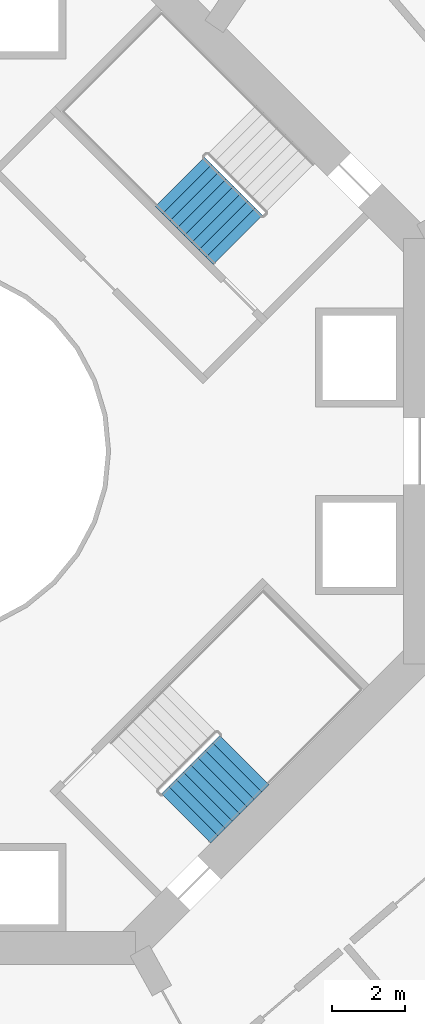
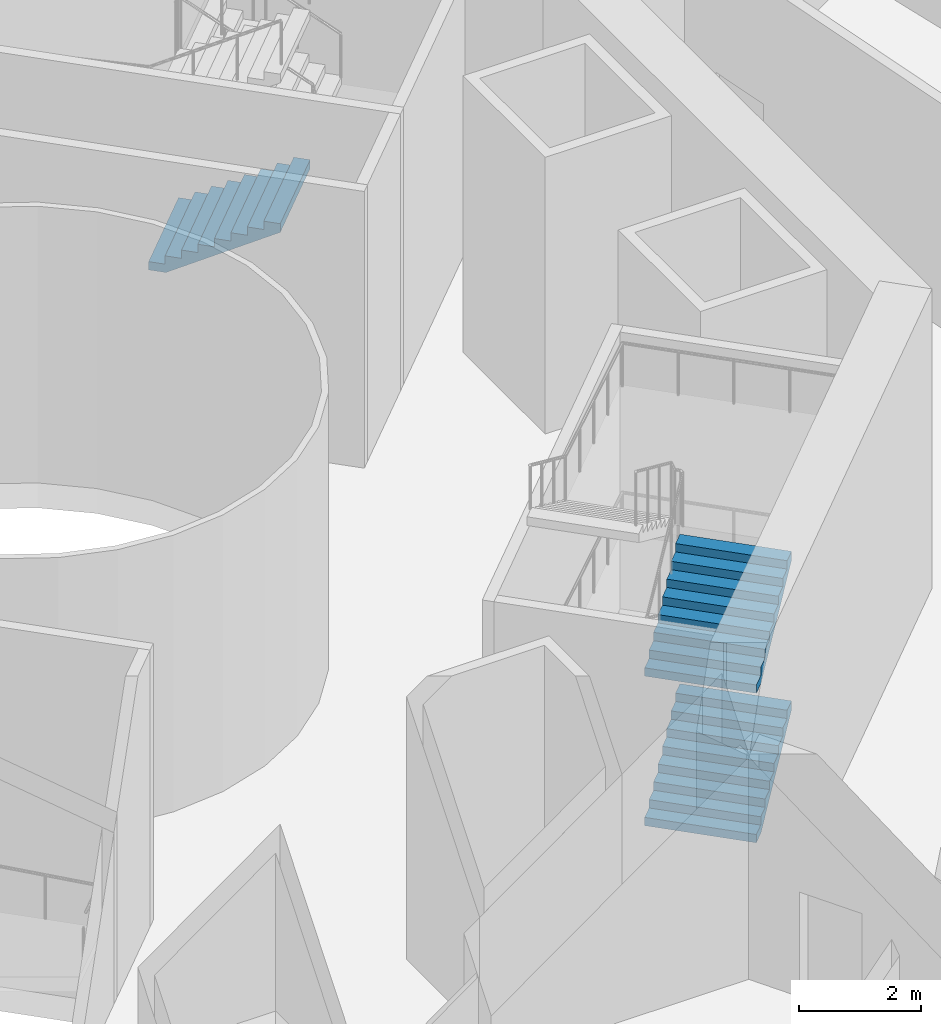
# One storey, part 16 of 20: 3 stair flights, 2 elements without a shape of their own.
"""IFC4 building model written with IfcOpenShell, lengths in metres."""

from ifc_helpers import new_model, si_unit, direction, frame, origin, place, context, subcontext, project, spatial, triangles, material, type_object, element, aggregate, save


model = new_model("IFC4")

# Units and contexts
model_context = context("Model", 3, precision=1e-05, world=origin(), true_north=direction((0.0, 1.0)))
body_context = subcontext(model_context, "Body", "Model", "MODEL_VIEW")
ifc_project = project(units=[si_unit("LENGTHUNIT", "METRE"), si_unit("AREAUNIT", "SQUARE_METRE"), si_unit("VOLUMEUNIT", "CUBIC_METRE"), si_unit("PLANEANGLEUNIT", "RADIAN"), si_unit("MASSUNIT", "GRAM", prefix="KILO")], contexts=[model_context])

# Site, building, storey
site_placement = place(None, origin())
site = spatial("IfcSite", under=ifc_project, at=site_placement, CompositionType="ELEMENT")
building_placement = place(site_placement, origin())
building = spatial("IfcBuilding", under=site, at=building_placement, Name="Verdalira Terraces Hotel", CompositionType="ELEMENT")
storey_placement = place(building_placement, frame((0.0, 0.0, 75.0)))
storey = spatial("IfcBuildingStorey", under=building, at=storey_placement, Name="L17", CompositionType="ELEMENT", Elevation=75.0)

# Stair, stair flight
ifc_material_1 = material(Name="Concrete C40", Category="concrete")
stair_type = type_object("IfcStairType", Name="Core stair 36 risers 1900 mm wide", PredefinedType="HALF_TURN_STAIR", material=ifc_material_1)
stair_1_placement = place(storey_placement, origin())
stair_1 = element("IfcStair", 1, at=stair_1_placement, inside=storey, type_object=stair_type, Name="L17 Exit stair ST1", PredefinedType="HALF_TURN_STAIR")
ifc_material_2 = material(Name="Concrete C40", Category="concrete")
stair_flight_type = type_object("IfcStairFlightType", Name="Core stair flight 36 risers 1900 mm wide", PredefinedType="STRAIGHT", material=ifc_material_2)
stair_flight_1_placement = place(storey_placement, frame((7.007324, 7.346924, 1.5), z_axis=(0.0, 0.0, 1.0), x_axis=(0.707106781, -0.707106781, 0.0)))
stair_flight_1 = element("IfcStairFlight", 2, at=stair_flight_1_placement, type_object=stair_flight_type, Name="ST1 flight 2", NumberOfRisers=9, NumberOfTreads=8, PredefinedType="STRAIGHT", RiserHeight=0.166666667, TreadLength=0.28, context=body_context, shape_type="Tessellation", body=[
    triangles([(0.0, 0.949951, 0.0), (0.292969, 0.949951, 0.0), (2.23999, 0.949951, 1.158936), (0.0, -0.949951, 0.0), (0.292969, -0.949951, 0.0), (2.23999, -0.949951, 1.158936), (2.23999, 0.949951, 1.333252), (1.959961, 0.949951, 1.333252), (2.23999, -0.949951, 1.333252), (1.959961, -0.949951, 1.333252), (1.959961, 0.949951, 1.166748), (1.959961, -0.949951, 1.166748), (1.679932, 0.949951, 1.166748), (1.679932, -0.949951, 1.166748), (1.679932, 0.949951, 1.0), (1.679932, -0.949951, 1.0), (1.399902, 0.949951, 1.0), (1.399902, 0.949951, 0.833252), (1.399902, -0.949951, 1.0), (1.399902, -0.949951, 0.833252), (1.120117, 0.949951, 0.833252), (1.120117, 0.949951, 0.666748), (1.120117, -0.949951, 0.833252), (1.120117, -0.949951, 0.666748), (0.840088, 0.949951, 0.666748), (0.840088, 0.949951, 0.5), (0.840088, -0.949951, 0.666748), (0.840088, -0.949951, 0.5), (0.560059, 0.949951, 0.5), (0.560059, 0.949951, 0.333252), (0.560059, -0.949951, 0.5), (0.560059, -0.949951, 0.333252), (0.280029, 0.949951, 0.333252), (0.280029, 0.949951, 0.166748), (0.280029, -0.949951, 0.333252), (0.280029, -0.949951, 0.166748), (0.0, 0.949951, 0.166748), (0.0, -0.949951, 0.166748), (0.0, -0.890579, 0.0), (0.0, -0.890579, 0.166748), (0.0, -0.831207, 0.0), (0.0, -0.831207, 0.166748), (0.0, -0.771835, 0.0), (0.0, -0.771835, 0.166748), (0.0, -0.712463, 0.0), (0.0, -0.712463, 0.166748), (0.0, -0.653091, 0.0), (0.0, -0.653091, 0.166748), (0.0, -0.593719, 0.0), (0.0, -0.593719, 0.166748), (0.0, -0.534348, 0.0), (0.0, -0.534348, 0.166748), (0.0, -0.474976, 0.0), (0.0, -0.474976, 0.166748), (0.0, -0.415604, 0.0), (0.0, -0.415604, 0.166748), (0.0, -0.356232, 0.0), (0.0, -0.356232, 0.166748), (0.0, -0.29686, 0.0), (0.0, -0.29686, 0.166748), (0.0, -0.237488, 0.0), (0.0, -0.237488, 0.166748), (0.0, -0.178116, 0.0), (0.0, -0.178116, 0.166748), (0.0, -0.118744, 0.0), (0.0, -0.118744, 0.166748), (0.0, -0.059372, 0.0), (0.0, -0.059372, 0.166748), (0.0, 0.0, 0.0), (0.0, 0.0, 0.166748), (0.0, 0.059372, 0.0), (0.0, 0.059372, 0.166748), (0.0, 0.118744, 0.0), (0.0, 0.118744, 0.166748), (0.0, 0.178116, 0.0), (0.0, 0.178116, 0.166748), (0.0, 0.237488, 0.0), (0.0, 0.237488, 0.166748), (0.0, 0.29686, 0.0), (0.0, 0.29686, 0.166748), (0.0, 0.356232, 0.0), (0.0, 0.356232, 0.166748), (0.0, 0.415604, 0.0), (0.0, 0.415604, 0.166748), (0.0, 0.474976, 0.0), (0.0, 0.474976, 0.166748), (0.0, 0.534348, 0.0), (0.0, 0.534348, 0.166748), (0.0, 0.593719, 0.0), (0.0, 0.593719, 0.166748), (0.0, 0.653091, 0.0), (0.0, 0.653091, 0.166748), (0.0, 0.712463, 0.0), (0.0, 0.712463, 0.166748), (0.0, 0.771835, 0.0), (0.0, 0.771835, 0.166748), (0.0, 0.831207, 0.0), (0.0, 0.831207, 0.166748), (0.0, 0.890579, 0.0), (0.0, 0.890579, 0.166748), (2.23999, -0.890579, 1.333252), (2.23999, -0.831207, 1.333252), (2.23999, -0.771835, 1.333252), (2.23999, -0.712463, 1.333252), (2.23999, -0.653091, 1.333252), (2.23999, -0.593719, 1.333252), (2.23999, -0.534348, 1.333252), (2.23999, -0.474976, 1.333252), (2.23999, -0.415604, 1.333252), (2.23999, -0.356232, 1.333252), (2.23999, -0.29686, 1.333252), (2.23999, -0.237488, 1.333252), (2.23999, -0.178116, 1.333252), (2.23999, -0.118744, 1.333252), (2.23999, -0.059372, 1.333252), (2.23999, 0.0, 1.333252), (2.23999, 0.059372, 1.333252), (2.23999, 0.118744, 1.333252), (2.23999, 0.178116, 1.333252), (2.23999, 0.237488, 1.333252), (2.23999, 0.29686, 1.333252), (2.23999, 0.356232, 1.333252), (2.23999, 0.415604, 1.333252), (2.23999, 0.474976, 1.333252), (2.23999, 0.534348, 1.333252), (2.23999, 0.593719, 1.333252), (2.23999, 0.653091, 1.333252), (2.23999, 0.712463, 1.333252), (2.23999, 0.771835, 1.333252), (2.23999, 0.831207, 1.333252), (2.23999, 0.890579, 1.333252), (2.23999, -0.890579, 1.158936), (2.23999, -0.831207, 1.158936), (2.23999, -0.771835, 1.158936), (2.23999, -0.712463, 1.158936), (2.23999, -0.653091, 1.158936), (2.23999, -0.593719, 1.158936), (2.23999, -0.534348, 1.158936), (2.23999, -0.474976, 1.158936), (2.23999, -0.415604, 1.158936), (2.23999, -0.356232, 1.158936), (2.23999, -0.29686, 1.158936), (2.23999, -0.237488, 1.158936), (2.23999, -0.178116, 1.158936), (2.23999, -0.118744, 1.158936), (2.23999, -0.059372, 1.158936), (2.23999, 0.0, 1.158936), (2.23999, 0.059372, 1.158936), (2.23999, 0.118744, 1.158936), (2.23999, 0.178116, 1.158936), (2.23999, 0.237488, 1.158936), (2.23999, 0.29686, 1.158936), (2.23999, 0.356232, 1.158936), (2.23999, 0.415604, 1.158936), (2.23999, 0.474976, 1.158936), (2.23999, 0.534348, 1.158936), (2.23999, 0.593719, 1.158936), (2.23999, 0.653091, 1.158936), (2.23999, 0.712463, 1.158936), (2.23999, 0.771835, 1.158936), (2.23999, 0.831207, 1.158936), (2.23999, 0.890579, 1.158936)], [[1, 3, 2], [4, 5, 6], [3, 8, 7], [6, 9, 10], [3, 11, 8], [6, 10, 12], [3, 13, 11], [6, 12, 14], [3, 15, 13], [6, 14, 16], [15, 18, 17], [16, 19, 20], [3, 18, 15], [6, 16, 20], [18, 22, 21], [20, 23, 24], [3, 22, 18], [6, 20, 24], [22, 26, 25], [24, 27, 28], [3, 26, 22], [6, 24, 28], [26, 30, 29], [28, 31, 32], [3, 30, 26], [6, 28, 32], [1, 30, 3], [4, 6, 32], [30, 34, 33], [32, 35, 36], [1, 34, 30], [4, 32, 36], [34, 1, 37], [36, 38, 4], [4, 40, 39], [4, 38, 40], [39, 42, 41], [39, 40, 42], [41, 44, 43], [41, 42, 44], [43, 46, 45], [43, 44, 46], [45, 48, 47], [45, 46, 48], [47, 50, 49], [47, 48, 50], [49, 52, 51], [49, 50, 52], [51, 54, 53], [51, 52, 54], [53, 56, 55], [53, 54, 56], [55, 58, 57], [55, 56, 58], [57, 60, 59], [57, 58, 60], [59, 62, 61], [59, 60, 62], [61, 64, 63], [61, 62, 64], [63, 66, 65], [63, 64, 66], [65, 68, 67], [65, 66, 68], [67, 70, 69], [67, 68, 70], [69, 72, 71], [69, 70, 72], [71, 74, 73], [71, 72, 74], [73, 76, 75], [73, 74, 76], [75, 78, 77], [75, 76, 78], [77, 80, 79], [77, 78, 80], [79, 82, 81], [79, 80, 82], [81, 84, 83], [81, 82, 84], [83, 86, 85], [83, 84, 86], [85, 88, 87], [85, 86, 88], [87, 90, 89], [87, 88, 90], [89, 92, 91], [89, 90, 92], [91, 94, 93], [91, 92, 94], [93, 96, 95], [93, 94, 96], [95, 98, 97], [95, 96, 98], [97, 100, 99], [97, 98, 100], [99, 37, 1], [99, 100, 37], [38, 36, 40], [40, 36, 42], [42, 36, 44], [44, 36, 46], [46, 36, 48], [48, 36, 50], [50, 36, 52], [52, 36, 54], [54, 36, 56], [56, 36, 58], [58, 36, 60], [60, 36, 62], [62, 36, 64], [64, 36, 66], [66, 36, 68], [68, 36, 70], [70, 36, 72], [72, 36, 74], [74, 36, 76], [76, 36, 78], [78, 36, 80], [80, 36, 82], [82, 36, 84], [84, 36, 86], [86, 36, 88], [88, 36, 90], [90, 36, 92], [92, 36, 94], [94, 36, 96], [96, 36, 98], [98, 36, 100], [100, 36, 37], [37, 36, 34], [36, 33, 34], [36, 35, 33], [35, 30, 33], [35, 32, 30], [32, 29, 30], [32, 31, 29], [31, 26, 29], [31, 28, 26], [28, 25, 26], [28, 27, 25], [27, 22, 25], [27, 24, 22], [24, 21, 22], [24, 23, 21], [23, 18, 21], [23, 20, 18], [20, 17, 18], [20, 19, 17], [19, 15, 17], [19, 16, 15], [16, 13, 15], [16, 14, 13], [14, 11, 13], [14, 12, 11], [12, 8, 11], [12, 10, 8], [9, 101, 10], [101, 102, 10], [102, 103, 10], [103, 104, 10], [104, 105, 10], [105, 106, 10], [106, 107, 10], [107, 108, 10], [108, 109, 10], [109, 110, 10], [110, 111, 10], [111, 112, 10], [112, 113, 10], [113, 114, 10], [114, 115, 10], [115, 116, 10], [116, 117, 10], [117, 118, 10], [118, 119, 10], [119, 120, 10], [120, 121, 10], [121, 122, 10], [122, 123, 10], [123, 124, 10], [124, 125, 10], [125, 126, 10], [126, 127, 10], [127, 128, 10], [128, 129, 10], [129, 130, 10], [130, 131, 10], [131, 7, 10], [7, 8, 10], [9, 132, 101], [9, 6, 132], [101, 133, 102], [101, 132, 133], [102, 134, 103], [102, 133, 134], [103, 135, 104], [103, 134, 135], [104, 136, 105], [104, 135, 136], [105, 137, 106], [105, 136, 137], [106, 138, 107], [106, 137, 138], [107, 139, 108], [107, 138, 139], [108, 140, 109], [108, 139, 140], [109, 141, 110], [109, 140, 141], [110, 142, 111], [110, 141, 142], [111, 143, 112], [111, 142, 143], [112, 144, 113], [112, 143, 144], [113, 145, 114], [113, 144, 145], [114, 146, 115], [114, 145, 146], [115, 147, 116], [115, 146, 147], [116, 148, 117], [116, 147, 148], [117, 149, 118], [117, 148, 149], [118, 150, 119], [118, 149, 150], [119, 151, 120], [119, 150, 151], [120, 152, 121], [120, 151, 152], [121, 153, 122], [121, 152, 153], [122, 154, 123], [122, 153, 154], [123, 155, 124], [123, 154, 155], [124, 156, 125], [124, 155, 156], [125, 157, 126], [125, 156, 157], [126, 158, 127], [126, 157, 158], [127, 159, 128], [127, 158, 159], [128, 160, 129], [128, 159, 160], [129, 161, 130], [129, 160, 161], [130, 162, 131], [130, 161, 162], [131, 3, 7], [131, 162, 3], [6, 5, 132], [132, 5, 133], [133, 5, 134], [134, 5, 135], [135, 5, 136], [136, 5, 137], [137, 5, 138], [138, 5, 139], [139, 5, 140], [140, 5, 141], [141, 5, 142], [142, 5, 143], [143, 5, 144], [144, 5, 145], [145, 5, 146], [146, 5, 147], [147, 5, 148], [148, 5, 149], [149, 5, 150], [150, 5, 151], [151, 5, 152], [152, 5, 153], [153, 5, 154], [154, 5, 155], [155, 5, 156], [156, 5, 157], [157, 5, 158], [158, 5, 159], [159, 5, 160], [160, 5, 161], [161, 5, 162], [162, 5, 3], [3, 5, 2], [4, 39, 5], [39, 41, 5], [41, 43, 5], [43, 45, 5], [45, 47, 5], [47, 49, 5], [49, 51, 5], [51, 53, 5], [53, 55, 5], [55, 57, 5], [57, 59, 5], [59, 61, 5], [61, 63, 5], [63, 65, 5], [65, 67, 5], [67, 69, 5], [69, 71, 5], [71, 73, 5], [73, 75, 5], [75, 77, 5], [77, 79, 5], [79, 81, 5], [81, 83, 5], [83, 85, 5], [85, 87, 5], [87, 89, 5], [89, 91, 5], [91, 93, 5], [93, 95, 5], [95, 97, 5], [97, 99, 5], [99, 1, 5], [1, 2, 5]], closed=True),
])
aggregate(stair_1, [stair_flight_1])

# Stair, stair flights
stair_2_placement = place(storey_placement, origin())
stair_2 = element("IfcStair", 3, at=stair_2_placement, inside=storey, type_object=stair_type, Name="L17 Exit stair ST3", PredefinedType="HALF_TURN_STAIR")
stair_flight_2_placement = place(storey_placement, frame((7.177246, -10.005615, 0.0), z_axis=(0.0, 0.0, 1.0), x_axis=(0.707106781, 0.707106781, 0.0)))
stair_flight_2 = element("IfcStairFlight", 4, at=stair_flight_2_placement, type_object=stair_flight_type, Name="ST3 flight 1", NumberOfRisers=9, NumberOfTreads=8, PredefinedType="STRAIGHT", RiserHeight=0.166666667, TreadLength=0.28, context=body_context, shape_type="Tessellation", body=[
    triangles([(0.0, 0.949951, 0.0), (0.292969, 0.949951, 0.0), (2.23999, 0.949951, 1.158936), (0.0, -0.949951, 0.0), (0.292969, -0.949951, 0.0), (2.23999, -0.949951, 1.158936), (2.23999, 0.949951, 1.333252), (1.959961, 0.949951, 1.333252), (2.23999, -0.949951, 1.333252), (1.959961, -0.949951, 1.333252), (1.959961, 0.949951, 1.166748), (1.959961, -0.949951, 1.166748), (1.679932, 0.949951, 1.166748), (1.679932, -0.949951, 1.166748), (1.679932, 0.949951, 1.0), (1.679932, -0.949951, 1.0), (1.399902, 0.949951, 1.0), (1.399902, 0.949951, 0.833252), (1.399902, -0.949951, 1.0), (1.399902, -0.949951, 0.833252), (1.120117, 0.949951, 0.833252), (1.120117, 0.949951, 0.666748), (1.120117, -0.949951, 0.833252), (1.120117, -0.949951, 0.666748), (0.840088, 0.949951, 0.666748), (0.840088, 0.949951, 0.5), (0.840088, -0.949951, 0.666748), (0.840088, -0.949951, 0.5), (0.560059, 0.949951, 0.5), (0.560059, 0.949951, 0.333252), (0.560059, -0.949951, 0.5), (0.560059, -0.949951, 0.333252), (0.280029, 0.949951, 0.333252), (0.280029, 0.949951, 0.166748), (0.280029, -0.949951, 0.333252), (0.280029, -0.949951, 0.166748), (0.0, 0.949951, 0.166748), (0.0, -0.949951, 0.166748), (0.0, -0.890579, 0.0), (0.0, -0.890579, 0.166748), (0.0, -0.831207, 0.0), (0.0, -0.831207, 0.166748), (0.0, -0.771835, 0.0), (0.0, -0.771835, 0.166748), (0.0, -0.712463, 0.0), (0.0, -0.712463, 0.166748), (0.0, -0.653091, 0.0), (0.0, -0.653091, 0.166748), (0.0, -0.593719, 0.0), (0.0, -0.593719, 0.166748), (0.0, -0.534348, 0.0), (0.0, -0.534348, 0.166748), (0.0, -0.474976, 0.0), (0.0, -0.474976, 0.166748), (0.0, -0.415604, 0.0), (0.0, -0.415604, 0.166748), (0.0, -0.356232, 0.0), (0.0, -0.356232, 0.166748), (0.0, -0.29686, 0.0), (0.0, -0.29686, 0.166748), (0.0, -0.237488, 0.0), (0.0, -0.237488, 0.166748), (0.0, -0.178116, 0.0), (0.0, -0.178116, 0.166748), (0.0, -0.118744, 0.0), (0.0, -0.118744, 0.166748), (0.0, -0.059372, 0.0), (0.0, -0.059372, 0.166748), (0.0, 0.0, 0.0), (0.0, 0.0, 0.166748), (0.0, 0.059372, 0.0), (0.0, 0.059372, 0.166748), (0.0, 0.118744, 0.0), (0.0, 0.118744, 0.166748), (0.0, 0.178116, 0.0), (0.0, 0.178116, 0.166748), (0.0, 0.237488, 0.0), (0.0, 0.237488, 0.166748), (0.0, 0.29686, 0.0), (0.0, 0.29686, 0.166748), (0.0, 0.356232, 0.0), (0.0, 0.356232, 0.166748), (0.0, 0.415604, 0.0), (0.0, 0.415604, 0.166748), (0.0, 0.474976, 0.0), (0.0, 0.474976, 0.166748), (0.0, 0.534348, 0.0), (0.0, 0.534348, 0.166748), (0.0, 0.593719, 0.0), (0.0, 0.593719, 0.166748), (0.0, 0.653091, 0.0), (0.0, 0.653091, 0.166748), (0.0, 0.712463, 0.0), (0.0, 0.712463, 0.166748), (0.0, 0.771835, 0.0), (0.0, 0.771835, 0.166748), (0.0, 0.831207, 0.0), (0.0, 0.831207, 0.166748), (0.0, 0.890579, 0.0), (0.0, 0.890579, 0.166748), (2.23999, -0.890579, 1.333252), (2.23999, -0.831207, 1.333252), (2.23999, -0.771835, 1.333252), (2.23999, -0.712463, 1.333252), (2.23999, -0.653091, 1.333252), (2.23999, -0.593719, 1.333252), (2.23999, -0.534348, 1.333252), (2.23999, -0.474976, 1.333252), (2.23999, -0.415604, 1.333252), (2.23999, -0.356232, 1.333252), (2.23999, -0.29686, 1.333252), (2.23999, -0.237488, 1.333252), (2.23999, -0.178116, 1.333252), (2.23999, -0.118744, 1.333252), (2.23999, -0.059372, 1.333252), (2.23999, 0.0, 1.333252), (2.23999, 0.059372, 1.333252), (2.23999, 0.118744, 1.333252), (2.23999, 0.178116, 1.333252), (2.23999, 0.237488, 1.333252), (2.23999, 0.29686, 1.333252), (2.23999, 0.356232, 1.333252), (2.23999, 0.415604, 1.333252), (2.23999, 0.474976, 1.333252), (2.23999, 0.534348, 1.333252), (2.23999, 0.593719, 1.333252), (2.23999, 0.653091, 1.333252), (2.23999, 0.712463, 1.333252), (2.23999, 0.771835, 1.333252), (2.23999, 0.831207, 1.333252), (2.23999, 0.890579, 1.333252), (2.23999, -0.890579, 1.158936), (2.23999, -0.831207, 1.158936), (2.23999, -0.771835, 1.158936), (2.23999, -0.712463, 1.158936), (2.23999, -0.653091, 1.158936), (2.23999, -0.593719, 1.158936), (2.23999, -0.534348, 1.158936), (2.23999, -0.474976, 1.158936), (2.23999, -0.415604, 1.158936), (2.23999, -0.356232, 1.158936), (2.23999, -0.29686, 1.158936), (2.23999, -0.237488, 1.158936), (2.23999, -0.178116, 1.158936), (2.23999, -0.118744, 1.158936), (2.23999, -0.059372, 1.158936), (2.23999, 0.0, 1.158936), (2.23999, 0.059372, 1.158936), (2.23999, 0.118744, 1.158936), (2.23999, 0.178116, 1.158936), (2.23999, 0.237488, 1.158936), (2.23999, 0.29686, 1.158936), (2.23999, 0.356232, 1.158936), (2.23999, 0.415604, 1.158936), (2.23999, 0.474976, 1.158936), (2.23999, 0.534348, 1.158936), (2.23999, 0.593719, 1.158936), (2.23999, 0.653091, 1.158936), (2.23999, 0.712463, 1.158936), (2.23999, 0.771835, 1.158936), (2.23999, 0.831207, 1.158936), (2.23999, 0.890579, 1.158936)], [[1, 3, 2], [4, 5, 6], [3, 8, 7], [6, 9, 10], [3, 11, 8], [6, 10, 12], [3, 13, 11], [6, 12, 14], [3, 15, 13], [6, 14, 16], [15, 18, 17], [16, 19, 20], [3, 18, 15], [6, 16, 20], [18, 22, 21], [20, 23, 24], [3, 22, 18], [6, 20, 24], [22, 26, 25], [24, 27, 28], [3, 26, 22], [6, 24, 28], [26, 30, 29], [28, 31, 32], [3, 30, 26], [6, 28, 32], [1, 30, 3], [4, 6, 32], [30, 34, 33], [32, 35, 36], [1, 34, 30], [4, 32, 36], [34, 1, 37], [36, 38, 4], [4, 40, 39], [4, 38, 40], [39, 42, 41], [39, 40, 42], [41, 44, 43], [41, 42, 44], [43, 46, 45], [43, 44, 46], [45, 48, 47], [45, 46, 48], [47, 50, 49], [47, 48, 50], [49, 52, 51], [49, 50, 52], [51, 54, 53], [51, 52, 54], [53, 56, 55], [53, 54, 56], [55, 58, 57], [55, 56, 58], [57, 60, 59], [57, 58, 60], [59, 62, 61], [59, 60, 62], [61, 64, 63], [61, 62, 64], [63, 66, 65], [63, 64, 66], [65, 68, 67], [65, 66, 68], [67, 70, 69], [67, 68, 70], [69, 72, 71], [69, 70, 72], [71, 74, 73], [71, 72, 74], [73, 76, 75], [73, 74, 76], [75, 78, 77], [75, 76, 78], [77, 80, 79], [77, 78, 80], [79, 82, 81], [79, 80, 82], [81, 84, 83], [81, 82, 84], [83, 86, 85], [83, 84, 86], [85, 88, 87], [85, 86, 88], [87, 90, 89], [87, 88, 90], [89, 92, 91], [89, 90, 92], [91, 94, 93], [91, 92, 94], [93, 96, 95], [93, 94, 96], [95, 98, 97], [95, 96, 98], [97, 100, 99], [97, 98, 100], [99, 37, 1], [99, 100, 37], [38, 36, 40], [40, 36, 42], [42, 36, 44], [44, 36, 46], [46, 36, 48], [48, 36, 50], [50, 36, 52], [52, 36, 54], [54, 36, 56], [56, 36, 58], [58, 36, 60], [60, 36, 62], [62, 36, 64], [64, 36, 66], [66, 36, 68], [68, 36, 70], [70, 36, 72], [72, 36, 74], [74, 36, 76], [76, 36, 78], [78, 36, 80], [80, 36, 82], [82, 36, 84], [84, 36, 86], [86, 36, 88], [88, 36, 90], [90, 36, 92], [92, 36, 94], [94, 36, 96], [96, 36, 98], [98, 36, 100], [100, 36, 37], [37, 36, 34], [36, 33, 34], [36, 35, 33], [35, 30, 33], [35, 32, 30], [32, 29, 30], [32, 31, 29], [31, 26, 29], [31, 28, 26], [28, 25, 26], [28, 27, 25], [27, 22, 25], [27, 24, 22], [24, 21, 22], [24, 23, 21], [23, 18, 21], [23, 20, 18], [20, 17, 18], [20, 19, 17], [19, 15, 17], [19, 16, 15], [16, 13, 15], [16, 14, 13], [14, 11, 13], [14, 12, 11], [12, 8, 11], [12, 10, 8], [9, 101, 10], [101, 102, 10], [102, 103, 10], [103, 104, 10], [104, 105, 10], [105, 106, 10], [106, 107, 10], [107, 108, 10], [108, 109, 10], [109, 110, 10], [110, 111, 10], [111, 112, 10], [112, 113, 10], [113, 114, 10], [114, 115, 10], [115, 116, 10], [116, 117, 10], [117, 118, 10], [118, 119, 10], [119, 120, 10], [120, 121, 10], [121, 122, 10], [122, 123, 10], [123, 124, 10], [124, 125, 10], [125, 126, 10], [126, 127, 10], [127, 128, 10], [128, 129, 10], [129, 130, 10], [130, 131, 10], [131, 7, 10], [7, 8, 10], [9, 132, 101], [9, 6, 132], [101, 133, 102], [101, 132, 133], [102, 134, 103], [102, 133, 134], [103, 135, 104], [103, 134, 135], [104, 136, 105], [104, 135, 136], [105, 137, 106], [105, 136, 137], [106, 138, 107], [106, 137, 138], [107, 139, 108], [107, 138, 139], [108, 140, 109], [108, 139, 140], [109, 141, 110], [109, 140, 141], [110, 142, 111], [110, 141, 142], [111, 143, 112], [111, 142, 143], [112, 144, 113], [112, 143, 144], [113, 145, 114], [113, 144, 145], [114, 146, 115], [114, 145, 146], [115, 147, 116], [115, 146, 147], [116, 148, 117], [116, 147, 148], [117, 149, 118], [117, 148, 149], [118, 150, 119], [118, 149, 150], [119, 151, 120], [119, 150, 151], [120, 152, 121], [120, 151, 152], [121, 153, 122], [121, 152, 153], [122, 154, 123], [122, 153, 154], [123, 155, 124], [123, 154, 155], [124, 156, 125], [124, 155, 156], [125, 157, 126], [125, 156, 157], [126, 158, 127], [126, 157, 158], [127, 159, 128], [127, 158, 159], [128, 160, 129], [128, 159, 160], [129, 161, 130], [129, 160, 161], [130, 162, 131], [130, 161, 162], [131, 3, 7], [131, 162, 3], [6, 5, 132], [132, 5, 133], [133, 5, 134], [134, 5, 135], [135, 5, 136], [136, 5, 137], [137, 5, 138], [138, 5, 139], [139, 5, 140], [140, 5, 141], [141, 5, 142], [142, 5, 143], [143, 5, 144], [144, 5, 145], [145, 5, 146], [146, 5, 147], [147, 5, 148], [148, 5, 149], [149, 5, 150], [150, 5, 151], [151, 5, 152], [152, 5, 153], [153, 5, 154], [154, 5, 155], [155, 5, 156], [156, 5, 157], [157, 5, 158], [158, 5, 159], [159, 5, 160], [160, 5, 161], [161, 5, 162], [162, 5, 3], [3, 5, 2], [4, 39, 5], [39, 41, 5], [41, 43, 5], [43, 45, 5], [45, 47, 5], [47, 49, 5], [49, 51, 5], [51, 53, 5], [53, 55, 5], [55, 57, 5], [57, 59, 5], [59, 61, 5], [61, 63, 5], [63, 65, 5], [65, 67, 5], [67, 69, 5], [69, 71, 5], [71, 73, 5], [73, 75, 5], [75, 77, 5], [77, 79, 5], [79, 81, 5], [81, 83, 5], [83, 85, 5], [85, 87, 5], [87, 89, 5], [89, 91, 5], [91, 93, 5], [93, 95, 5], [95, 97, 5], [97, 99, 5], [99, 1, 5], [1, 2, 5]], closed=True),
])
stair_flight_3_placement = place(storey_placement, frame((7.177246, -10.005615, 3.0), z_axis=(0.0, 0.0, 1.0), x_axis=(0.707106781, 0.707106781, 0.0)))
stair_flight_3 = element("IfcStairFlight", 5, at=stair_flight_3_placement, type_object=stair_flight_type, Name="ST3 flight 3", NumberOfRisers=9, NumberOfTreads=8, PredefinedType="STRAIGHT", RiserHeight=0.166666667, TreadLength=0.28, context=body_context, shape_type="Tessellation", body=[
    triangles([(0.0, 0.949951, 0.0), (0.292969, 0.949951, 0.0), (2.23999, 0.949951, 1.158936), (0.0, -0.949951, 0.0), (0.292969, -0.949951, 0.0), (2.23999, -0.949951, 1.158936), (2.23999, 0.949951, 1.333252), (1.959961, 0.949951, 1.333252), (2.23999, -0.949951, 1.333252), (1.959961, -0.949951, 1.333252), (1.959961, 0.949951, 1.166748), (1.959961, -0.949951, 1.166748), (1.679932, 0.949951, 1.166748), (1.679932, -0.949951, 1.166748), (1.679932, 0.949951, 1.0), (1.679932, -0.949951, 1.0), (1.399902, 0.949951, 1.0), (1.399902, 0.949951, 0.833252), (1.399902, -0.949951, 1.0), (1.399902, -0.949951, 0.833252), (1.120117, 0.949951, 0.833252), (1.120117, 0.949951, 0.666748), (1.120117, -0.949951, 0.833252), (1.120117, -0.949951, 0.666748), (0.840088, 0.949951, 0.666748), (0.840088, 0.949951, 0.5), (0.840088, -0.949951, 0.666748), (0.840088, -0.949951, 0.5), (0.560059, 0.949951, 0.5), (0.560059, 0.949951, 0.333252), (0.560059, -0.949951, 0.5), (0.560059, -0.949951, 0.333252), (0.280029, 0.949951, 0.333252), (0.280029, 0.949951, 0.166748), (0.280029, -0.949951, 0.333252), (0.280029, -0.949951, 0.166748), (0.0, 0.949951, 0.166748), (0.0, -0.949951, 0.166748), (0.0, -0.890579, 0.0), (0.0, -0.890579, 0.166748), (0.0, -0.831207, 0.0), (0.0, -0.831207, 0.166748), (0.0, -0.771835, 0.0), (0.0, -0.771835, 0.166748), (0.0, -0.712463, 0.0), (0.0, -0.712463, 0.166748), (0.0, -0.653091, 0.0), (0.0, -0.653091, 0.166748), (0.0, -0.593719, 0.0), (0.0, -0.593719, 0.166748), (0.0, -0.534348, 0.0), (0.0, -0.534348, 0.166748), (0.0, -0.474976, 0.0), (0.0, -0.474976, 0.166748), (0.0, -0.415604, 0.0), (0.0, -0.415604, 0.166748), (0.0, -0.356232, 0.0), (0.0, -0.356232, 0.166748), (0.0, -0.29686, 0.0), (0.0, -0.29686, 0.166748), (0.0, -0.237488, 0.0), (0.0, -0.237488, 0.166748), (0.0, -0.178116, 0.0), (0.0, -0.178116, 0.166748), (0.0, -0.118744, 0.0), (0.0, -0.118744, 0.166748), (0.0, -0.059372, 0.0), (0.0, -0.059372, 0.166748), (0.0, 0.0, 0.0), (0.0, 0.0, 0.166748), (0.0, 0.059372, 0.0), (0.0, 0.059372, 0.166748), (0.0, 0.118744, 0.0), (0.0, 0.118744, 0.166748), (0.0, 0.178116, 0.0), (0.0, 0.178116, 0.166748), (0.0, 0.237488, 0.0), (0.0, 0.237488, 0.166748), (0.0, 0.29686, 0.0), (0.0, 0.29686, 0.166748), (0.0, 0.356232, 0.0), (0.0, 0.356232, 0.166748), (0.0, 0.415604, 0.0), (0.0, 0.415604, 0.166748), (0.0, 0.474976, 0.0), (0.0, 0.474976, 0.166748), (0.0, 0.534348, 0.0), (0.0, 0.534348, 0.166748), (0.0, 0.593719, 0.0), (0.0, 0.593719, 0.166748), (0.0, 0.653091, 0.0), (0.0, 0.653091, 0.166748), (0.0, 0.712463, 0.0), (0.0, 0.712463, 0.166748), (0.0, 0.771835, 0.0), (0.0, 0.771835, 0.166748), (0.0, 0.831207, 0.0), (0.0, 0.831207, 0.166748), (0.0, 0.890579, 0.0), (0.0, 0.890579, 0.166748), (2.23999, -0.890579, 1.333252), (2.23999, -0.831207, 1.333252), (2.23999, -0.771835, 1.333252), (2.23999, -0.712463, 1.333252), (2.23999, -0.653091, 1.333252), (2.23999, -0.593719, 1.333252), (2.23999, -0.534348, 1.333252), (2.23999, -0.474976, 1.333252), (2.23999, -0.415604, 1.333252), (2.23999, -0.356232, 1.333252), (2.23999, -0.29686, 1.333252), (2.23999, -0.237488, 1.333252), (2.23999, -0.178116, 1.333252), (2.23999, -0.118744, 1.333252), (2.23999, -0.059372, 1.333252), (2.23999, 0.0, 1.333252), (2.23999, 0.059372, 1.333252), (2.23999, 0.118744, 1.333252), (2.23999, 0.178116, 1.333252), (2.23999, 0.237488, 1.333252), (2.23999, 0.29686, 1.333252), (2.23999, 0.356232, 1.333252), (2.23999, 0.415604, 1.333252), (2.23999, 0.474976, 1.333252), (2.23999, 0.534348, 1.333252), (2.23999, 0.593719, 1.333252), (2.23999, 0.653091, 1.333252), (2.23999, 0.712463, 1.333252), (2.23999, 0.771835, 1.333252), (2.23999, 0.831207, 1.333252), (2.23999, 0.890579, 1.333252), (2.23999, -0.890579, 1.158936), (2.23999, -0.831207, 1.158936), (2.23999, -0.771835, 1.158936), (2.23999, -0.712463, 1.158936), (2.23999, -0.653091, 1.158936), (2.23999, -0.593719, 1.158936), (2.23999, -0.534348, 1.158936), (2.23999, -0.474976, 1.158936), (2.23999, -0.415604, 1.158936), (2.23999, -0.356232, 1.158936), (2.23999, -0.29686, 1.158936), (2.23999, -0.237488, 1.158936), (2.23999, -0.178116, 1.158936), (2.23999, -0.118744, 1.158936), (2.23999, -0.059372, 1.158936), (2.23999, 0.0, 1.158936), (2.23999, 0.059372, 1.158936), (2.23999, 0.118744, 1.158936), (2.23999, 0.178116, 1.158936), (2.23999, 0.237488, 1.158936), (2.23999, 0.29686, 1.158936), (2.23999, 0.356232, 1.158936), (2.23999, 0.415604, 1.158936), (2.23999, 0.474976, 1.158936), (2.23999, 0.534348, 1.158936), (2.23999, 0.593719, 1.158936), (2.23999, 0.653091, 1.158936), (2.23999, 0.712463, 1.158936), (2.23999, 0.771835, 1.158936), (2.23999, 0.831207, 1.158936), (2.23999, 0.890579, 1.158936)], [[1, 3, 2], [4, 5, 6], [3, 8, 7], [6, 9, 10], [3, 11, 8], [6, 10, 12], [3, 13, 11], [6, 12, 14], [3, 15, 13], [6, 14, 16], [15, 18, 17], [16, 19, 20], [3, 18, 15], [6, 16, 20], [18, 22, 21], [20, 23, 24], [3, 22, 18], [6, 20, 24], [22, 26, 25], [24, 27, 28], [3, 26, 22], [6, 24, 28], [26, 30, 29], [28, 31, 32], [3, 30, 26], [6, 28, 32], [1, 30, 3], [4, 6, 32], [30, 34, 33], [32, 35, 36], [1, 34, 30], [4, 32, 36], [34, 1, 37], [36, 38, 4], [4, 40, 39], [4, 38, 40], [39, 42, 41], [39, 40, 42], [41, 44, 43], [41, 42, 44], [43, 46, 45], [43, 44, 46], [45, 48, 47], [45, 46, 48], [47, 50, 49], [47, 48, 50], [49, 52, 51], [49, 50, 52], [51, 54, 53], [51, 52, 54], [53, 56, 55], [53, 54, 56], [55, 58, 57], [55, 56, 58], [57, 60, 59], [57, 58, 60], [59, 62, 61], [59, 60, 62], [61, 64, 63], [61, 62, 64], [63, 66, 65], [63, 64, 66], [65, 68, 67], [65, 66, 68], [67, 70, 69], [67, 68, 70], [69, 72, 71], [69, 70, 72], [71, 74, 73], [71, 72, 74], [73, 76, 75], [73, 74, 76], [75, 78, 77], [75, 76, 78], [77, 80, 79], [77, 78, 80], [79, 82, 81], [79, 80, 82], [81, 84, 83], [81, 82, 84], [83, 86, 85], [83, 84, 86], [85, 88, 87], [85, 86, 88], [87, 90, 89], [87, 88, 90], [89, 92, 91], [89, 90, 92], [91, 94, 93], [91, 92, 94], [93, 96, 95], [93, 94, 96], [95, 98, 97], [95, 96, 98], [97, 100, 99], [97, 98, 100], [99, 37, 1], [99, 100, 37], [38, 36, 40], [40, 36, 42], [42, 36, 44], [44, 36, 46], [46, 36, 48], [48, 36, 50], [50, 36, 52], [52, 36, 54], [54, 36, 56], [56, 36, 58], [58, 36, 60], [60, 36, 62], [62, 36, 64], [64, 36, 66], [66, 36, 68], [68, 36, 70], [70, 36, 72], [72, 36, 74], [74, 36, 76], [76, 36, 78], [78, 36, 80], [80, 36, 82], [82, 36, 84], [84, 36, 86], [86, 36, 88], [88, 36, 90], [90, 36, 92], [92, 36, 94], [94, 36, 96], [96, 36, 98], [98, 36, 100], [100, 36, 37], [37, 36, 34], [36, 33, 34], [36, 35, 33], [35, 30, 33], [35, 32, 30], [32, 29, 30], [32, 31, 29], [31, 26, 29], [31, 28, 26], [28, 25, 26], [28, 27, 25], [27, 22, 25], [27, 24, 22], [24, 21, 22], [24, 23, 21], [23, 18, 21], [23, 20, 18], [20, 17, 18], [20, 19, 17], [19, 15, 17], [19, 16, 15], [16, 13, 15], [16, 14, 13], [14, 11, 13], [14, 12, 11], [12, 8, 11], [12, 10, 8], [9, 101, 10], [101, 102, 10], [102, 103, 10], [103, 104, 10], [104, 105, 10], [105, 106, 10], [106, 107, 10], [107, 108, 10], [108, 109, 10], [109, 110, 10], [110, 111, 10], [111, 112, 10], [112, 113, 10], [113, 114, 10], [114, 115, 10], [115, 116, 10], [116, 117, 10], [117, 118, 10], [118, 119, 10], [119, 120, 10], [120, 121, 10], [121, 122, 10], [122, 123, 10], [123, 124, 10], [124, 125, 10], [125, 126, 10], [126, 127, 10], [127, 128, 10], [128, 129, 10], [129, 130, 10], [130, 131, 10], [131, 7, 10], [7, 8, 10], [9, 132, 101], [9, 6, 132], [101, 133, 102], [101, 132, 133], [102, 134, 103], [102, 133, 134], [103, 135, 104], [103, 134, 135], [104, 136, 105], [104, 135, 136], [105, 137, 106], [105, 136, 137], [106, 138, 107], [106, 137, 138], [107, 139, 108], [107, 138, 139], [108, 140, 109], [108, 139, 140], [109, 141, 110], [109, 140, 141], [110, 142, 111], [110, 141, 142], [111, 143, 112], [111, 142, 143], [112, 144, 113], [112, 143, 144], [113, 145, 114], [113, 144, 145], [114, 146, 115], [114, 145, 146], [115, 147, 116], [115, 146, 147], [116, 148, 117], [116, 147, 148], [117, 149, 118], [117, 148, 149], [118, 150, 119], [118, 149, 150], [119, 151, 120], [119, 150, 151], [120, 152, 121], [120, 151, 152], [121, 153, 122], [121, 152, 153], [122, 154, 123], [122, 153, 154], [123, 155, 124], [123, 154, 155], [124, 156, 125], [124, 155, 156], [125, 157, 126], [125, 156, 157], [126, 158, 127], [126, 157, 158], [127, 159, 128], [127, 158, 159], [128, 160, 129], [128, 159, 160], [129, 161, 130], [129, 160, 161], [130, 162, 131], [130, 161, 162], [131, 3, 7], [131, 162, 3], [6, 5, 132], [132, 5, 133], [133, 5, 134], [134, 5, 135], [135, 5, 136], [136, 5, 137], [137, 5, 138], [138, 5, 139], [139, 5, 140], [140, 5, 141], [141, 5, 142], [142, 5, 143], [143, 5, 144], [144, 5, 145], [145, 5, 146], [146, 5, 147], [147, 5, 148], [148, 5, 149], [149, 5, 150], [150, 5, 151], [151, 5, 152], [152, 5, 153], [153, 5, 154], [154, 5, 155], [155, 5, 156], [156, 5, 157], [157, 5, 158], [158, 5, 159], [159, 5, 160], [160, 5, 161], [161, 5, 162], [162, 5, 3], [3, 5, 2], [4, 39, 5], [39, 41, 5], [41, 43, 5], [43, 45, 5], [45, 47, 5], [47, 49, 5], [49, 51, 5], [51, 53, 5], [53, 55, 5], [55, 57, 5], [57, 59, 5], [59, 61, 5], [61, 63, 5], [63, 65, 5], [65, 67, 5], [67, 69, 5], [69, 71, 5], [71, 73, 5], [73, 75, 5], [75, 77, 5], [77, 79, 5], [79, 81, 5], [81, 83, 5], [83, 85, 5], [85, 87, 5], [87, 89, 5], [89, 91, 5], [91, 93, 5], [93, 95, 5], [95, 97, 5], [97, 99, 5], [99, 1, 5], [1, 2, 5]], closed=True),
])
aggregate(stair_2, [stair_flight_2, stair_flight_3])

save(model, "model.ifc")
